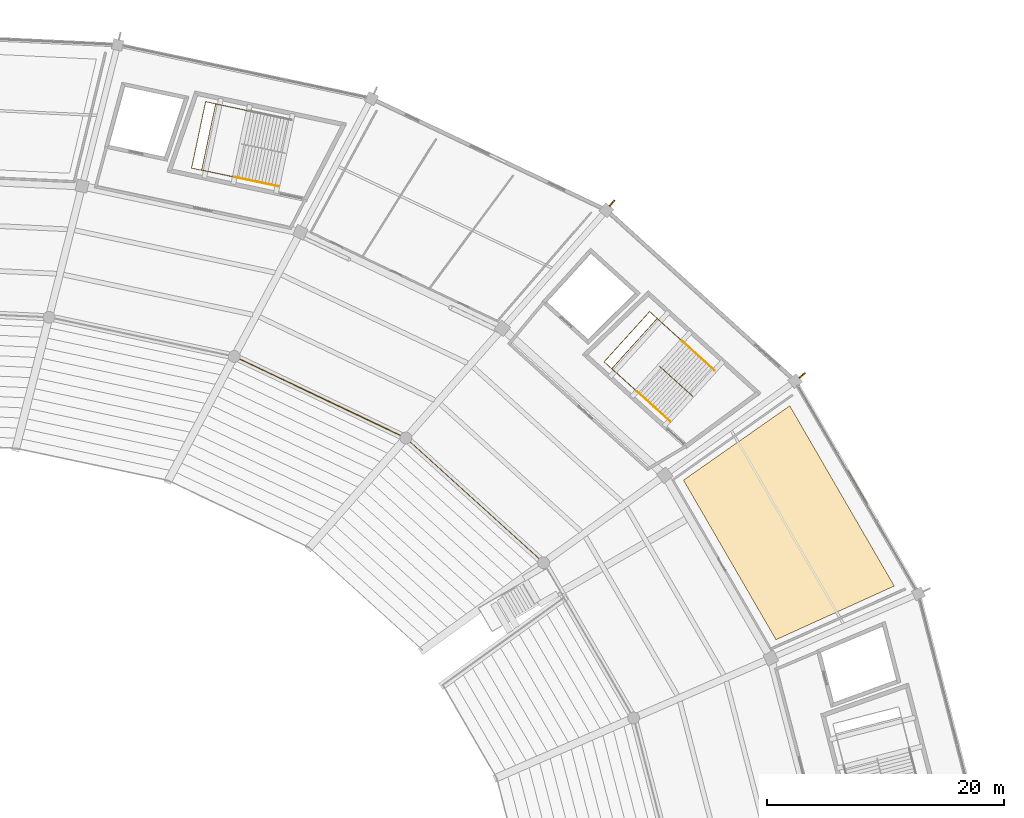
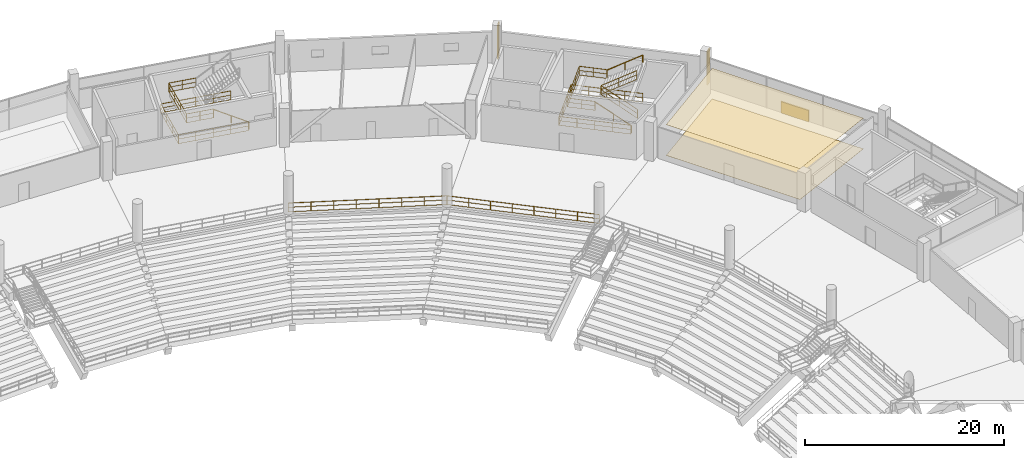
# One storey, part 155 of 156: 10 railings, 3 shading devices, 2 coverings.
"""IFC4 building model written with IfcOpenShell, lengths in metres."""

from ifc_helpers import new_model, si_unit, direction, frame, origin, origin_2d, place, context, subcontext, project, spatial, polyline, rectangle, outline, extrude, material, layer, layer_set, type_object, element, save


model = new_model("IFC4")

# Units and contexts
model_context = context("Model", 3, precision=1e-05, world=origin(), true_north=direction((0.0, 1.0)))
body_context = subcontext(model_context, "Body", "Model", "MODEL_VIEW")
ifc_project = project(units=[si_unit("LENGTHUNIT", "METRE"), si_unit("AREAUNIT", "SQUARE_METRE"), si_unit("VOLUMEUNIT", "CUBIC_METRE"), si_unit("PLANEANGLEUNIT", "RADIAN"), si_unit("MASSUNIT", "GRAM", prefix="KILO")], contexts=[model_context])

# Site, building, storey
site_placement = place(None, origin())
site = spatial("IfcSite", under=ifc_project, at=site_placement, CompositionType="ELEMENT")
building_placement = place(site_placement, origin())
building = spatial("IfcBuilding", under=site, at=building_placement, Name="Kazemori Nagisa Stadium", CompositionType="ELEMENT")
storey_placement = place(building_placement, frame((0.0, 0.0, 5.780029296875)))
storey = spatial("IfcBuildingStorey", under=building, at=storey_placement, Name="L01", CompositionType="ELEMENT", Elevation=5.780029296875)

# Coverings
ifc_material_1 = material(Name="Mineral-fibre acoustic board", Category="gypsum")
ifc_layer_1 = layer(ifc_material_1, 0.02001953125, Name="Mineral-fibre acoustic board", Category="gypsum")
ifc_layer_set_1 = layer_set([ifc_layer_1], Name="Mineral-fibre acoustic board")
covering_type_1 = type_object("IfcCoveringType", Name="Cov_CEIL", PredefinedType="CEILING", material=ifc_layer_set_1)
covering_1_placement = place(storey_placement, frame((0.0, 0.0, 3.77001953125)))
element("IfcCovering", 1, at=covering_1_placement, inside=storey, type_object=covering_type_1, Name="Acoustic ceiling L01-B03", PredefinedType="CEILING", context=body_context, shape_type="SweptSolid", body=[
    extrude(outline(polyline([(199.87353515625, 136.88330078125), (192.08203125, 150.320556640625), (201.034423828125, 156.582275390625), (209.835205078125, 141.40380859375), (199.87353515625, 136.88330078125)])), origin(), (0.0, 0.0, 1.0), 0.02001953125),
])
ifc_material_2 = material(Name="Porcelain stoneware tile", Category="masonry")
ifc_layer_2 = layer(ifc_material_2, 0.02490234375, Name="Porcelain stoneware tile", Category="masonry")
ifc_layer_set_2 = layer_set([ifc_layer_2], Name="Porcelain stoneware tile")
covering_type_2 = type_object("IfcCoveringType", Name="Cov_FLOOR", PredefinedType="FLOORING", material=ifc_layer_set_2)
covering_2_placement = place(storey_placement, origin())
element("IfcCovering", 2, at=covering_2_placement, inside=storey, type_object=covering_type_2, Name="Porcelain floor finish L01-B03", PredefinedType="FLOORING", context=body_context, shape_type="SweptSolid", body=[
    extrude(outline(polyline([(199.87353515625, 136.88330078125), (192.08203125, 150.320556640625), (201.034423828125, 156.582275390625), (209.835205078125, 141.40380859375), (199.87353515625, 136.88330078125)])), origin(), (0.0, 0.0, 1.0), 0.02490234375),
])

# Shading devices
ifc_material_3 = material(Name="Aluminium 6063-T5 anodised", Category="aluminium")
shading_device_type_1 = type_object("IfcShadingDeviceType", Name="Fin_FN01", PredefinedType="USERDEFINED", material=ifc_material_3)
for number, where, z_axis, x_axis, name in (
    (3, (202.085693359375, 159.138427734375, 0.0), (0.0, 0.0, 1.0), (0.781831482473, 0.623489801853, 0.0), "Aerodynamic wave shading fin L01-04"),
    (4, (186.068603515625, 173.649169921875, 0.0), (0.0, 0.0, 1.0), (0.623489801853, 0.781831482473, 0.0), "Aerodynamic wave shading fin L01-05"),
):
    element("IfcShadingDevice", number, at=place(storey_placement, frame(where, z_axis=z_axis, x_axis=x_axis)), inside=storey, type_object=shading_device_type_1, Name=name, ObjectType="FIN", PredefinedType="USERDEFINED", context=body_context, shape_type="SweptSolid", body=[
        extrude(rectangle(XDim=0.64990234375, YDim=0.1201171875, at=origin_2d()), origin(), (0.0, 0.0, 1.0), 4.199951171875),
    ])
shading_device_type_2 = type_object("IfcShadingDeviceType", Name="Louvre_LV01", PredefinedType="JALOUSIE", material=ifc_material_3)
shading_device_placement = place(storey_placement, frame((206.690185546875, 149.70849609375, -0.010009765625), z_axis=(0.0, 0.0, 1.0), x_axis=(-0.501611590054, 0.865092950337, 0.0)))
element("IfcShadingDevice", 5, at=shading_device_placement, inside=storey, type_object=shading_device_type_2, Name="Concourse ventilation louvre L01-B03", PredefinedType="JALOUSIE", context=body_context, shape_type="SweptSolid", body=[
    extrude(rectangle(XDim=3.199951171875, YDim=0.179931640625, at=origin_2d()), origin(), (0.0, 0.0, 1.0), 1.39990234375),
])

# Railings
ifc_material_4 = material(Name="Laminated safety glass and stainless steel SUS304", Category="steel")
railing_type_1 = type_object("IfcRailingType", Name="Rail_BAL", PredefinedType="BALUSTRADE", material=ifc_material_4)
railing_1_placement = place(storey_placement, frame((180.301513671875, 143.367431640625, 0.0)))
element("IfcRailing", 6, at=railing_1_placement, inside=storey, type_object=railing_type_1, Name="Concourse bowl balustrade L01-B04", PredefinedType="BALUSTRADE", context=body_context, shape_type="SweptSolid", body=[
    extrude(rectangle(XDim=0.050048828125, YDim=0.050048828125, at=origin_2d()), frame((0.0, 0.0, 1.09521484375), z_axis=(-0.741349160152, 0.6711195294, 0.0), x_axis=(-0.6711195294, -0.741349160152, 0.0)), (0.0, 0.0, 1.0), 15.65380859375),
    extrude(rectangle(XDim=0.03759765625, YDim=0.03759765625, at=origin_2d()), frame((0.0, 0.0, 0.58251953125), z_axis=(-0.741349160152, 0.6711195294, 0.0), x_axis=(-0.6711195294, -0.741349160152, 0.0)), (0.0, 0.0, 1.0), 15.65380859375),
    extrude(rectangle(XDim=0.03759765625, YDim=0.03759765625, at=origin_2d()), frame((0.0, 0.0, 0.02490234375), z_axis=(-0.741349160152, 0.6711195294, 0.0), x_axis=(-0.6711195294, -0.741349160152, 0.0)), (0.0, 0.0, 1.0), 15.65380859375),
    extrude(rectangle(XDim=0.044921875, YDim=0.044921875, at=origin_2d()), origin(), (0.0, 0.0, 1.0), 1.070068359375),
    extrude(rectangle(XDim=0.044921875, YDim=0.044921875, at=origin_2d()), frame((-1.657958984375, 1.500732421875, 0.0)), (0.0, 0.0, 1.0), 1.070068359375),
    extrude(rectangle(XDim=0.044921875, YDim=0.044921875, at=origin_2d()), frame((-3.315673828125, 3.001708984375, 0.0)), (0.0, 0.0, 1.0), 1.070068359375),
    extrude(rectangle(XDim=0.044921875, YDim=0.044921875, at=origin_2d()), frame((-4.9736328125, 4.50244140625, 0.0)), (0.0, 0.0, 1.0), 1.070068359375),
    extrude(rectangle(XDim=0.044921875, YDim=0.044921875, at=origin_2d()), frame((-6.63134765625, 6.003173828125, 0.0)), (0.0, 0.0, 1.0), 1.070068359375),
    extrude(rectangle(XDim=0.044921875, YDim=0.044921875, at=origin_2d()), frame((-8.289306640625, 7.50390625, 0.0)), (0.0, 0.0, 1.0), 1.070068359375),
    extrude(rectangle(XDim=0.044921875, YDim=0.044921875, at=origin_2d()), frame((-9.947021484375, 9.0048828125, 0.0)), (0.0, 0.0, 1.0), 1.070068359375),
    extrude(rectangle(XDim=0.044921875, YDim=0.044921875, at=origin_2d()), frame((-11.60498046875, 10.505615234375, 0.0)), (0.0, 0.0, 1.0), 1.070068359375),
])
railing_2_placement = place(storey_placement, frame((168.696533203125, 153.873046875, 0.0)))
element("IfcRailing", 7, at=railing_2_placement, inside=storey, type_object=railing_type_1, Name="Concourse bowl balustrade L01-B05", PredefinedType="BALUSTRADE", context=body_context, shape_type="SweptSolid", body=[
    extrude(rectangle(XDim=0.050048828125, YDim=0.050048828125, at=origin_2d()), frame((0.0, 0.0, 1.09521484375), z_axis=(-0.903211989129, 0.429194714196, 0.0), x_axis=(-0.429194714196, -0.903211989129, 0.0)), (0.0, 0.0, 1.0), 15.997314453125),
    extrude(rectangle(XDim=0.03759765625, YDim=0.03759765625, at=origin_2d()), frame((0.0, 0.0, 0.58251953125), z_axis=(-0.903211989129, 0.429194714196, 0.0), x_axis=(-0.429194714196, -0.903211989129, 0.0)), (0.0, 0.0, 1.0), 15.997314453125),
    extrude(rectangle(XDim=0.03759765625, YDim=0.03759765625, at=origin_2d()), frame((0.0, 0.0, 0.02490234375), z_axis=(-0.903211989129, 0.429194714196, 0.0), x_axis=(-0.429194714196, -0.903211989129, 0.0)), (0.0, 0.0, 1.0), 15.997314453125),
    extrude(rectangle(XDim=0.044921875, YDim=0.044921875, at=origin_2d()), origin(), (0.0, 0.0, 1.0), 1.070068359375),
    extrude(rectangle(XDim=0.044921875, YDim=0.044921875, at=origin_2d()), frame((-2.064208984375, 0.98095703125, 0.0)), (0.0, 0.0, 1.0), 1.070068359375),
    extrude(rectangle(XDim=0.044921875, YDim=0.044921875, at=origin_2d()), frame((-4.128173828125, 1.961669921875, 0.0)), (0.0, 0.0, 1.0), 1.070068359375),
    extrude(rectangle(XDim=0.044921875, YDim=0.044921875, at=origin_2d()), frame((-6.1923828125, 2.942626953125, 0.0)), (0.0, 0.0, 1.0), 1.070068359375),
    extrude(rectangle(XDim=0.044921875, YDim=0.044921875, at=origin_2d()), frame((-8.256591796875, 3.92333984375, 0.0)), (0.0, 0.0, 1.0), 1.070068359375),
    extrude(rectangle(XDim=0.044921875, YDim=0.044921875, at=origin_2d()), frame((-10.32080078125, 4.904296875, 0.0)), (0.0, 0.0, 1.0), 1.070068359375),
    extrude(rectangle(XDim=0.044921875, YDim=0.044921875, at=origin_2d()), frame((-12.384765625, 5.885009765625, 0.0)), (0.0, 0.0, 1.0), 1.070068359375),
    extrude(rectangle(XDim=0.044921875, YDim=0.044921875, at=origin_2d()), frame((-14.448974609375, 6.865966796875, 0.0)), (0.0, 0.0, 1.0), 1.070068359375),
])
ifc_material_5 = material(Name="Galvanised powder-coated steel", Category="steel")
railing_type_2 = type_object("IfcRailingType", Name="Rail_GUARD", PredefinedType="GUARDRAIL", material=ifc_material_5)
railing_3_placement = place(storey_placement, frame((190.87646484375, 155.334228515625, 0.0)))
element("IfcRailing", 8, at=railing_3_placement, inside=storey, type_object=railing_type_2, Name="Stair well perimeter guard ST01-L01", PredefinedType="GUARDRAIL", context=body_context, shape_type="SweptSolid", body=[
    extrude(rectangle(XDim=0.050048828125, YDim=0.050048828125, at=origin_2d()), frame((0.0, 0.0, 1.09521484375), z_axis=(-0.741350009176, 0.671118591528, 0.0), x_axis=(-0.671118591528, -0.741350009176, 0.0)), (0.0, 0.0, 1.0), 7.380126953125),
    extrude(rectangle(XDim=0.03759765625, YDim=0.03759765625, at=origin_2d()), frame((0.0, 0.0, 0.58251953125), z_axis=(-0.741350009176, 0.671118591528, 0.0), x_axis=(-0.671118591528, -0.741350009176, 0.0)), (0.0, 0.0, 1.0), 7.380126953125),
    extrude(rectangle(XDim=0.03759765625, YDim=0.03759765625, at=origin_2d()), frame((0.0, 0.0, 0.02490234375), z_axis=(-0.741350009176, 0.671118591528, 0.0), x_axis=(-0.671118591528, -0.741350009176, 0.0)), (0.0, 0.0, 1.0), 7.380126953125),
    extrude(rectangle(XDim=0.050048828125, YDim=0.050048828125, at=origin_2d()), frame((-5.47119140625, 4.952880859375, 1.09521484375), z_axis=(0.67113423669, 0.74133584585, 0.0), x_axis=(-0.74133584585, 0.67113423669, 0.0)), (0.0, 0.0, 1.0), 5.699951171875),
    extrude(rectangle(XDim=0.03759765625, YDim=0.03759765625, at=origin_2d()), frame((-5.47119140625, 4.952880859375, 0.58251953125), z_axis=(0.67113423669, 0.74133584585, 0.0), x_axis=(-0.74133584585, 0.67113423669, 0.0)), (0.0, 0.0, 1.0), 5.699951171875),
    extrude(rectangle(XDim=0.03759765625, YDim=0.03759765625, at=origin_2d()), frame((-5.47119140625, 4.952880859375, 0.02490234375), z_axis=(0.67113423669, 0.74133584585, 0.0), x_axis=(-0.74133584585, 0.67113423669, 0.0)), (0.0, 0.0, 1.0), 5.699951171875),
    extrude(rectangle(XDim=0.050048828125, YDim=0.050048828125, at=origin_2d()), frame((-1.645751953125, 9.178466796875, 1.09521484375), z_axis=(0.741351568484, -0.671116869037, 0.0), x_axis=(0.671116869037, 0.741351568484, 0.0)), (0.0, 0.0, 1.0), 7.379638671875),
    extrude(rectangle(XDim=0.03759765625, YDim=0.03759765625, at=origin_2d()), frame((-1.645751953125, 9.178466796875, 0.58251953125), z_axis=(0.741351568484, -0.671116869037, 0.0), x_axis=(0.671116869037, 0.741351568484, 0.0)), (0.0, 0.0, 1.0), 7.379638671875),
    extrude(rectangle(XDim=0.03759765625, YDim=0.03759765625, at=origin_2d()), frame((-1.645751953125, 9.178466796875, 0.02490234375), z_axis=(0.741351568484, -0.671116869037, 0.0), x_axis=(0.671116869037, 0.741351568484, 0.0)), (0.0, 0.0, 1.0), 7.379638671875),
    extrude(rectangle(XDim=0.044921875, YDim=0.044921875, at=origin_2d()), origin(), (0.0, 0.0, 1.0), 1.070068359375),
    extrude(rectangle(XDim=0.044921875, YDim=0.044921875, at=origin_2d()), frame((-1.36767578125, 1.23828125, 0.0)), (0.0, 0.0, 1.0), 1.070068359375),
    extrude(rectangle(XDim=0.044921875, YDim=0.044921875, at=origin_2d()), frame((-2.735595703125, 2.4765625, 0.0)), (0.0, 0.0, 1.0), 1.070068359375),
    extrude(rectangle(XDim=0.044921875, YDim=0.044921875, at=origin_2d()), frame((-4.103515625, 3.714599609375, 0.0)), (0.0, 0.0, 1.0), 1.070068359375),
    extrude(rectangle(XDim=0.044921875, YDim=0.044921875, at=origin_2d()), frame((-5.47119140625, 4.952880859375, 0.0)), (0.0, 0.0, 1.0), 1.070068359375),
    extrude(rectangle(XDim=0.044921875, YDim=0.044921875, at=origin_2d()), frame((-4.196044921875, 6.361328125, 0.0)), (0.0, 0.0, 1.0), 1.070068359375),
    extrude(rectangle(XDim=0.044921875, YDim=0.044921875, at=origin_2d()), frame((-2.9208984375, 7.77001953125, 0.0)), (0.0, 0.0, 1.0), 1.070068359375),
    extrude(rectangle(XDim=0.044921875, YDim=0.044921875, at=origin_2d()), frame((-1.645751953125, 9.178466796875, 0.0)), (0.0, 0.0, 1.0), 1.070068359375),
    extrude(rectangle(XDim=0.044921875, YDim=0.044921875, at=origin_2d()), frame((-0.278076171875, 7.9404296875, 0.0)), (0.0, 0.0, 1.0), 1.070068359375),
    extrude(rectangle(XDim=0.044921875, YDim=0.044921875, at=origin_2d()), frame((1.08984375, 6.7021484375, 0.0)), (0.0, 0.0, 1.0), 1.070068359375),
    extrude(rectangle(XDim=0.044921875, YDim=0.044921875, at=origin_2d()), frame((2.45751953125, 5.4638671875, 0.0)), (0.0, 0.0, 1.0), 1.070068359375),
    extrude(rectangle(XDim=0.044921875, YDim=0.044921875, at=origin_2d()), frame((3.8251953125, 4.225830078125, 0.0)), (0.0, 0.0, 1.0), 1.070068359375),
])
railing_4_placement = place(storey_placement, frame((192.848388671875, 157.393310546875, 0.0)))
element("IfcRailing", 9, at=railing_4_placement, inside=storey, type_object=railing_type_2, Name="Stair central guard ST01-L01", PredefinedType="GUARDRAIL", context=body_context, shape_type="SweptSolid", body=[
    extrude(rectangle(XDim=0.050048828125, YDim=0.050048828125, at=origin_2d()), frame((0.0, 0.0, 1.09521484375), z_axis=(-0.626149551056, 0.56689544076, 0.535318875959), x_axis=(-0.671160136809, -0.741312397548, 0.0)), (0.0, 0.0, 1.0), 4.44580078125),
    extrude(rectangle(XDim=0.03759765625, YDim=0.03759765625, at=origin_2d()), frame((0.0, 0.0, 0.58251953125), z_axis=(-0.626149551056, 0.56689544076, 0.535318875959), x_axis=(-0.671160136809, -0.741312397548, 0.0)), (0.0, 0.0, 1.0), 4.44580078125),
    extrude(rectangle(XDim=0.03759765625, YDim=0.03759765625, at=origin_2d()), frame((0.0, 0.0, 0.02490234375), z_axis=(-0.626149551056, 0.56689544076, 0.535318875959), x_axis=(-0.671160136809, -0.741312397548, 0.0)), (0.0, 0.0, 1.0), 4.44580078125),
    extrude(rectangle(XDim=0.050048828125, YDim=0.050048828125, at=origin_2d()), frame((-2.78369140625, 2.520263671875, 3.47509765625), z_axis=(0.622217683766, -0.563335895607, 0.54359711435), x_axis=(0.671160293698, 0.741312255506, 0.0)), (0.0, 0.0, 1.0), 4.37841796875),
    extrude(rectangle(XDim=0.03759765625, YDim=0.03759765625, at=origin_2d()), frame((-2.78369140625, 2.520263671875, 2.96240234375), z_axis=(0.622217683766, -0.563335895607, 0.54359711435), x_axis=(0.671160293698, 0.741312255506, 0.0)), (0.0, 0.0, 1.0), 4.37841796875),
    extrude(rectangle(XDim=0.03759765625, YDim=0.03759765625, at=origin_2d()), frame((-2.78369140625, 2.520263671875, 2.40478515625), z_axis=(0.622217683766, -0.563335895607, 0.54359711435), x_axis=(0.671160293698, 0.741312255506, 0.0)), (0.0, 0.0, 1.0), 4.37841796875),
    extrude(rectangle(XDim=0.044921875, YDim=0.044921875, at=origin_2d()), origin(), (0.0, 0.0, 1.0), 1.070068359375),
    extrude(rectangle(XDim=0.044921875, YDim=0.044921875, at=origin_2d()), frame((-1.391845703125, 1.26025390625, 1.18994140625)), (0.0, 0.0, 1.0), 1.070068359375),
    extrude(rectangle(XDim=0.044921875, YDim=0.044921875, at=origin_2d()), frame((-2.78369140625, 2.520263671875, 2.3798828125)), (0.0, 0.0, 1.0), 1.070068359375),
    extrude(rectangle(XDim=0.044921875, YDim=0.044921875, at=origin_2d()), frame((-1.42138671875, 1.287109375, 3.56982421875)), (0.0, 0.0, 1.0), 1.070068359375),
    extrude(rectangle(XDim=0.044921875, YDim=0.044921875, at=origin_2d()), frame((-0.059326171875, 0.0537109375, 4.760009765625)), (0.0, 0.0, 1.0), 1.070068359375),
])
railing_5_placement = place(storey_placement, frame((188.15185546875, 157.800537109375, 2.3798828125)))
element("IfcRailing", 10, at=railing_5_placement, inside=storey, type_object=railing_type_2, Name="Stair landing guard ST01-L01", PredefinedType="GUARDRAIL", context=body_context, shape_type="SweptSolid", body=[
    extrude(rectangle(XDim=0.050048828125, YDim=0.050048828125, at=origin_2d()), frame((0.0, 0.0, 1.09521484375), z_axis=(-0.741314535645, 0.671157775223, 0.0), x_axis=(-0.671157775223, -0.741314535645, 0.0)), (0.0, 0.0, 1.0), 2.85009765625),
    extrude(rectangle(XDim=0.03759765625, YDim=0.03759765625, at=origin_2d()), frame((0.0, 0.0, 0.58251953125), z_axis=(-0.741314535645, 0.671157775223, 0.0), x_axis=(-0.671157775223, -0.741314535645, 0.0)), (0.0, 0.0, 1.0), 2.85009765625),
    extrude(rectangle(XDim=0.03759765625, YDim=0.03759765625, at=origin_2d()), frame((0.0, 0.0, 0.02490234375), z_axis=(-0.741314535645, 0.671157775223, 0.0), x_axis=(-0.671157775223, -0.741314535645, 0.0)), (0.0, 0.0, 1.0), 2.85009765625),
    extrude(rectangle(XDim=0.050048828125, YDim=0.050048828125, at=origin_2d()), frame((-2.11279296875, 1.912841796875, 1.09521484375), z_axis=(0.67113423669, 0.74133584585, 0.0), x_axis=(-0.74133584585, 0.67113423669, 0.0)), (0.0, 0.0, 1.0), 5.699951171875),
    extrude(rectangle(XDim=0.03759765625, YDim=0.03759765625, at=origin_2d()), frame((-2.11279296875, 1.912841796875, 0.58251953125), z_axis=(0.67113423669, 0.74133584585, 0.0), x_axis=(-0.74133584585, 0.67113423669, 0.0)), (0.0, 0.0, 1.0), 5.699951171875),
    extrude(rectangle(XDim=0.03759765625, YDim=0.03759765625, at=origin_2d()), frame((-2.11279296875, 1.912841796875, 0.02490234375), z_axis=(0.67113423669, 0.74133584585, 0.0), x_axis=(-0.74133584585, 0.67113423669, 0.0)), (0.0, 0.0, 1.0), 5.699951171875),
    extrude(rectangle(XDim=0.050048828125, YDim=0.050048828125, at=origin_2d()), frame((1.712646484375, 6.138427734375, 1.09521484375), z_axis=(0.741357156534, -0.671110696127, 0.0), x_axis=(0.671110696127, 0.741357156534, 0.0)), (0.0, 0.0, 1.0), 2.849853515625),
    extrude(rectangle(XDim=0.03759765625, YDim=0.03759765625, at=origin_2d()), frame((1.712646484375, 6.138427734375, 0.58251953125), z_axis=(0.741357156534, -0.671110696127, 0.0), x_axis=(0.671110696127, 0.741357156534, 0.0)), (0.0, 0.0, 1.0), 2.849853515625),
    extrude(rectangle(XDim=0.03759765625, YDim=0.03759765625, at=origin_2d()), frame((1.712646484375, 6.138427734375, 0.02490234375), z_axis=(0.741357156534, -0.671110696127, 0.0), x_axis=(0.671110696127, 0.741357156534, 0.0)), (0.0, 0.0, 1.0), 2.849853515625),
    extrude(rectangle(XDim=0.044921875, YDim=0.044921875, at=origin_2d()), origin(), (0.0, 0.0, 1.0), 1.070068359375),
    extrude(rectangle(XDim=0.044921875, YDim=0.044921875, at=origin_2d()), frame((-1.056396484375, 0.95654296875, 0.0)), (0.0, 0.0, 1.0), 1.070068359375),
    extrude(rectangle(XDim=0.044921875, YDim=0.044921875, at=origin_2d()), frame((-2.11279296875, 1.912841796875, 0.0)), (0.0, 0.0, 1.0), 1.070068359375),
    extrude(rectangle(XDim=0.044921875, YDim=0.044921875, at=origin_2d()), frame((-0.837646484375, 3.3212890625, 0.0)), (0.0, 0.0, 1.0), 1.070068359375),
    extrude(rectangle(XDim=0.044921875, YDim=0.044921875, at=origin_2d()), frame((0.4375, 4.72998046875, 0.0)), (0.0, 0.0, 1.0), 1.070068359375),
    extrude(rectangle(XDim=0.044921875, YDim=0.044921875, at=origin_2d()), frame((1.712646484375, 6.138427734375, 0.0)), (0.0, 0.0, 1.0), 1.070068359375),
    extrude(rectangle(XDim=0.044921875, YDim=0.044921875, at=origin_2d()), frame((2.76904296875, 5.18212890625, 0.0)), (0.0, 0.0, 1.0), 1.070068359375),
    extrude(rectangle(XDim=0.044921875, YDim=0.044921875, at=origin_2d()), frame((3.825439453125, 4.225830078125, 0.0)), (0.0, 0.0, 1.0), 1.070068359375),
])
railing_6_placement = place(storey_placement, frame((157.87890625, 175.08642578125, 0.0)))
element("IfcRailing", 11, at=railing_6_placement, inside=storey, type_object=railing_type_2, Name="Stair well perimeter guard ST11-L01", PredefinedType="GUARDRAIL", context=body_context, shape_type="SweptSolid", body=[
    extrude(rectangle(XDim=0.050048828125, YDim=0.050048828125, at=origin_2d()), frame((0.0, 0.0, 1.09521484375), z_axis=(-0.978343262059, 0.206989037354, 0.0), x_axis=(-0.206989037354, -0.978343262059, 0.0)), (0.0, 0.0, 1.0), 7.380126953125),
    extrude(rectangle(XDim=0.03759765625, YDim=0.03759765625, at=origin_2d()), frame((0.0, 0.0, 0.58251953125), z_axis=(-0.978343262059, 0.206989037354, 0.0), x_axis=(-0.206989037354, -0.978343262059, 0.0)), (0.0, 0.0, 1.0), 7.380126953125),
    extrude(rectangle(XDim=0.03759765625, YDim=0.03759765625, at=origin_2d()), frame((0.0, 0.0, 0.02490234375), z_axis=(-0.978343262059, 0.206989037354, 0.0), x_axis=(-0.206989037354, -0.978343262059, 0.0)), (0.0, 0.0, 1.0), 7.380126953125),
    extrude(rectangle(XDim=0.050048828125, YDim=0.050048828125, at=origin_2d()), frame((-7.22021484375, 1.527587890625, 1.09521484375), z_axis=(0.206960167837, 0.978349369565, 0.0), x_axis=(-0.978349369565, 0.206960167837, 0.0)), (0.0, 0.0, 1.0), 5.699951171875),
    extrude(rectangle(XDim=0.03759765625, YDim=0.03759765625, at=origin_2d()), frame((-7.22021484375, 1.527587890625, 0.58251953125), z_axis=(0.206960167837, 0.978349369565, 0.0), x_axis=(-0.978349369565, 0.206960167837, 0.0)), (0.0, 0.0, 1.0), 5.699951171875),
    extrude(rectangle(XDim=0.03759765625, YDim=0.03759765625, at=origin_2d()), frame((-7.22021484375, 1.527587890625, 0.02490234375), z_axis=(0.206960167837, 0.978349369565, 0.0), x_axis=(-0.978349369565, 0.206960167837, 0.0)), (0.0, 0.0, 1.0), 5.699951171875),
    extrude(rectangle(XDim=0.050048828125, YDim=0.050048828125, at=origin_2d()), frame((-6.04052734375, 7.104248046875, 1.09521484375), z_axis=(0.978343262059, -0.206989037354, 0.0), x_axis=(0.206989037354, 0.978343262059, 0.0)), (0.0, 0.0, 1.0), 7.380126953125),
    extrude(rectangle(XDim=0.03759765625, YDim=0.03759765625, at=origin_2d()), frame((-6.04052734375, 7.104248046875, 0.58251953125), z_axis=(0.978343262059, -0.206989037354, 0.0), x_axis=(0.206989037354, 0.978343262059, 0.0)), (0.0, 0.0, 1.0), 7.380126953125),
    extrude(rectangle(XDim=0.03759765625, YDim=0.03759765625, at=origin_2d()), frame((-6.04052734375, 7.104248046875, 0.02490234375), z_axis=(0.978343262059, -0.206989037354, 0.0), x_axis=(0.206989037354, 0.978343262059, 0.0)), (0.0, 0.0, 1.0), 7.380126953125),
    extrude(rectangle(XDim=0.044921875, YDim=0.044921875, at=origin_2d()), origin(), (0.0, 0.0, 1.0), 1.070068359375),
    extrude(rectangle(XDim=0.044921875, YDim=0.044921875, at=origin_2d()), frame((-1.80517578125, 0.3818359375, 0.0)), (0.0, 0.0, 1.0), 1.070068359375),
    extrude(rectangle(XDim=0.044921875, YDim=0.044921875, at=origin_2d()), frame((-3.610107421875, 0.763671875, 0.0)), (0.0, 0.0, 1.0), 1.070068359375),
    extrude(rectangle(XDim=0.044921875, YDim=0.044921875, at=origin_2d()), frame((-5.4150390625, 1.145751953125, 0.0)), (0.0, 0.0, 1.0), 1.070068359375),
    extrude(rectangle(XDim=0.044921875, YDim=0.044921875, at=origin_2d()), frame((-7.22021484375, 1.527587890625, 0.0)), (0.0, 0.0, 1.0), 1.070068359375),
    extrude(rectangle(XDim=0.044921875, YDim=0.044921875, at=origin_2d()), frame((-6.826904296875, 3.386474609375, 0.0)), (0.0, 0.0, 1.0), 1.070068359375),
    extrude(rectangle(XDim=0.044921875, YDim=0.044921875, at=origin_2d()), frame((-6.433837890625, 5.245361328125, 0.0)), (0.0, 0.0, 1.0), 1.070068359375),
    extrude(rectangle(XDim=0.044921875, YDim=0.044921875, at=origin_2d()), frame((-6.04052734375, 7.104248046875, 0.0)), (0.0, 0.0, 1.0), 1.070068359375),
    extrude(rectangle(XDim=0.044921875, YDim=0.044921875, at=origin_2d()), frame((-4.2353515625, 6.722412109375, 0.0)), (0.0, 0.0, 1.0), 1.070068359375),
    extrude(rectangle(XDim=0.044921875, YDim=0.044921875, at=origin_2d()), frame((-2.430419921875, 6.34033203125, 0.0)), (0.0, 0.0, 1.0), 1.070068359375),
    extrude(rectangle(XDim=0.044921875, YDim=0.044921875, at=origin_2d()), frame((-0.62548828125, 5.95849609375, 0.0)), (0.0, 0.0, 1.0), 1.070068359375),
    extrude(rectangle(XDim=0.044921875, YDim=0.044921875, at=origin_2d()), frame((1.1796875, 5.57666015625, 0.0)), (0.0, 0.0, 1.0), 1.070068359375),
])
railing_7_placement = place(storey_placement, frame((154.283447265625, 175.84716796875, 2.3798828125)))
element("IfcRailing", 12, at=railing_7_placement, inside=storey, type_object=railing_type_2, Name="Stair landing guard ST11-L01", PredefinedType="GUARDRAIL", context=body_context, shape_type="SweptSolid", body=[
    extrude(rectangle(XDim=0.050048828125, YDim=0.050048828125, at=origin_2d()), frame((0.0, 0.0, 1.09521484375), z_axis=(-0.978349369565, 0.206960167837, 0.0), x_axis=(-0.206960167837, -0.978349369565, 0.0)), (0.0, 0.0, 1.0), 2.85009765625),
    extrude(rectangle(XDim=0.03759765625, YDim=0.03759765625, at=origin_2d()), frame((0.0, 0.0, 0.58251953125), z_axis=(-0.978349369565, 0.206960167837, 0.0), x_axis=(-0.206960167837, -0.978349369565, 0.0)), (0.0, 0.0, 1.0), 2.85009765625),
    extrude(rectangle(XDim=0.03759765625, YDim=0.03759765625, at=origin_2d()), frame((0.0, 0.0, 0.02490234375), z_axis=(-0.978349369565, 0.206960167837, 0.0), x_axis=(-0.206960167837, -0.978349369565, 0.0)), (0.0, 0.0, 1.0), 2.85009765625),
    extrude(rectangle(XDim=0.050048828125, YDim=0.050048828125, at=origin_2d()), frame((-2.788330078125, 0.58984375, 1.09521484375), z_axis=(0.206960167837, 0.978349369565, 0.0), x_axis=(-0.978349369565, 0.206960167837, 0.0)), (0.0, 0.0, 1.0), 5.699951171875),
    extrude(rectangle(XDim=0.03759765625, YDim=0.03759765625, at=origin_2d()), frame((-2.788330078125, 0.58984375, 0.58251953125), z_axis=(0.206960167837, 0.978349369565, 0.0), x_axis=(-0.978349369565, 0.206960167837, 0.0)), (0.0, 0.0, 1.0), 5.699951171875),
    extrude(rectangle(XDim=0.03759765625, YDim=0.03759765625, at=origin_2d()), frame((-2.788330078125, 0.58984375, 0.02490234375), z_axis=(0.206960167837, 0.978349369565, 0.0), x_axis=(-0.978349369565, 0.206960167837, 0.0)), (0.0, 0.0, 1.0), 5.699951171875),
    extrude(rectangle(XDim=0.050048828125, YDim=0.050048828125, at=origin_2d()), frame((-1.608642578125, 6.16650390625, 1.09521484375), z_axis=(0.978349369565, -0.206960167837, 0.0), x_axis=(0.206960167837, 0.978349369565, 0.0)), (0.0, 0.0, 1.0), 2.85009765625),
    extrude(rectangle(XDim=0.03759765625, YDim=0.03759765625, at=origin_2d()), frame((-1.608642578125, 6.16650390625, 0.58251953125), z_axis=(0.978349369565, -0.206960167837, 0.0), x_axis=(0.206960167837, 0.978349369565, 0.0)), (0.0, 0.0, 1.0), 2.85009765625),
    extrude(rectangle(XDim=0.03759765625, YDim=0.03759765625, at=origin_2d()), frame((-1.608642578125, 6.16650390625, 0.02490234375), z_axis=(0.978349369565, -0.206960167837, 0.0), x_axis=(0.206960167837, 0.978349369565, 0.0)), (0.0, 0.0, 1.0), 2.85009765625),
    extrude(rectangle(XDim=0.044921875, YDim=0.044921875, at=origin_2d()), origin(), (0.0, 0.0, 1.0), 1.070068359375),
    extrude(rectangle(XDim=0.044921875, YDim=0.044921875, at=origin_2d()), frame((-1.39404296875, 0.294921875, 0.0)), (0.0, 0.0, 1.0), 1.070068359375),
    extrude(rectangle(XDim=0.044921875, YDim=0.044921875, at=origin_2d()), frame((-2.788330078125, 0.58984375, 0.0)), (0.0, 0.0, 1.0), 1.070068359375),
    extrude(rectangle(XDim=0.044921875, YDim=0.044921875, at=origin_2d()), frame((-2.39501953125, 2.44873046875, 0.0)), (0.0, 0.0, 1.0), 1.070068359375),
    extrude(rectangle(XDim=0.044921875, YDim=0.044921875, at=origin_2d()), frame((-2.001953125, 4.3076171875, 0.0)), (0.0, 0.0, 1.0), 1.070068359375),
    extrude(rectangle(XDim=0.044921875, YDim=0.044921875, at=origin_2d()), frame((-1.608642578125, 6.16650390625, 0.0)), (0.0, 0.0, 1.0), 1.070068359375),
    extrude(rectangle(XDim=0.044921875, YDim=0.044921875, at=origin_2d()), frame((-0.21435546875, 5.87158203125, 0.0)), (0.0, 0.0, 1.0), 1.070068359375),
    extrude(rectangle(XDim=0.044921875, YDim=0.044921875, at=origin_2d()), frame((1.1796875, 5.57666015625, 0.0)), (0.0, 0.0, 1.0), 1.070068359375),
])
ifc_material_6 = material(Name="Stainless steel SUS304", Category="steel")
railing_type_3 = type_object("IfcRailingType", Name="Rail_HAND", PredefinedType="HANDRAIL", material=ifc_material_6)
railing_8_placement = place(storey_placement, frame((190.935791015625, 155.280517578125, 0.169921875)))
element("IfcRailing", 13, at=railing_8_placement, inside=storey, type_object=railing_type_3, Name="Stair handrail ST01-L01-F1", PredefinedType="HANDRAIL", context=body_context, shape_type="SweptSolid", body=[
    extrude(rectangle(XDim=0.050048828125, YDim=0.050048828125, at=origin_2d()), frame((0.0, 0.0, 0.875), z_axis=(-0.626184018518, 0.566822015184, 0.535356309439), x_axis=(-0.671092057118, -0.741374028998, 0.0)), (0.0, 0.0, 1.0), 4.44580078125),
    extrude(rectangle(XDim=0.044921875, YDim=0.044921875, at=origin_2d()), origin(), (0.0, 0.0, 1.0), 0.849853515625),
    extrude(rectangle(XDim=0.044921875, YDim=0.044921875, at=origin_2d()), frame((-1.39208984375, 1.260009765625, 1.18994140625)), (0.0, 0.0, 1.0), 0.849853515625),
    extrude(rectangle(XDim=0.044921875, YDim=0.044921875, at=origin_2d()), frame((-2.783935546875, 2.52001953125, 2.380126953125)), (0.0, 0.0, 1.0), 0.849853515625),
])
railing_9_placement = place(storey_placement, frame((191.977294921875, 162.0263671875, 2.550048828125)))
element("IfcRailing", 14, at=railing_9_placement, inside=storey, type_object=railing_type_3, Name="Stair handrail ST01-L01-F2", PredefinedType="HANDRAIL", context=body_context, shape_type="SweptSolid", body=[
    extrude(rectangle(XDim=0.050048828125, YDim=0.050048828125, at=origin_2d()), frame((0.0, 0.0, 0.875), z_axis=(0.622256089767, -0.563314904456, 0.543574904834), x_axis=(0.671123784078, 0.741345308506, 0.0)), (0.0, 0.0, 1.0), 4.378173828125),
    extrude(rectangle(XDim=0.044921875, YDim=0.044921875, at=origin_2d()), origin(), (0.0, 0.0, 1.0), 0.849853515625),
    extrude(rectangle(XDim=0.044921875, YDim=0.044921875, at=origin_2d()), frame((1.3623046875, -1.233154296875, 1.18994140625)), (0.0, 0.0, 1.0), 0.849853515625),
    extrude(rectangle(XDim=0.044921875, YDim=0.044921875, at=origin_2d()), frame((2.724365234375, -2.46630859375, 2.3798828125)), (0.0, 0.0, 1.0), 0.849853515625),
])
railing_10_placement = place(storey_placement, frame((157.95703125, 175.070068359375, 0.169921875)))
element("IfcRailing", 15, at=railing_10_placement, inside=storey, type_object=railing_type_3, Name="Stair handrail ST11-L01-F1", PredefinedType="HANDRAIL", context=body_context, shape_type="SweptSolid", body=[
    extrude(rectangle(XDim=0.050048828125, YDim=0.050048828125, at=origin_2d()), frame((0.0, 0.0, 0.875), z_axis=(-0.82632590955, 0.174798655552, 0.535379231222), x_axis=(-0.206957394223, -0.978349956292, 0.0)), (0.0, 0.0, 1.0), 4.44580078125),
    extrude(rectangle(XDim=0.044921875, YDim=0.044921875, at=origin_2d()), origin(), (0.0, 0.0, 1.0), 0.849853515625),
    extrude(rectangle(XDim=0.044921875, YDim=0.044921875, at=origin_2d()), frame((-1.8369140625, 0.388671875, 1.18994140625)), (0.0, 0.0, 1.0), 0.849853515625),
    extrude(rectangle(XDim=0.044921875, YDim=0.044921875, at=origin_2d()), frame((-3.673583984375, 0.777099609375, 2.380126953125)), (0.0, 0.0, 1.0), 0.849853515625),
])

save(model, "model.ifc")
